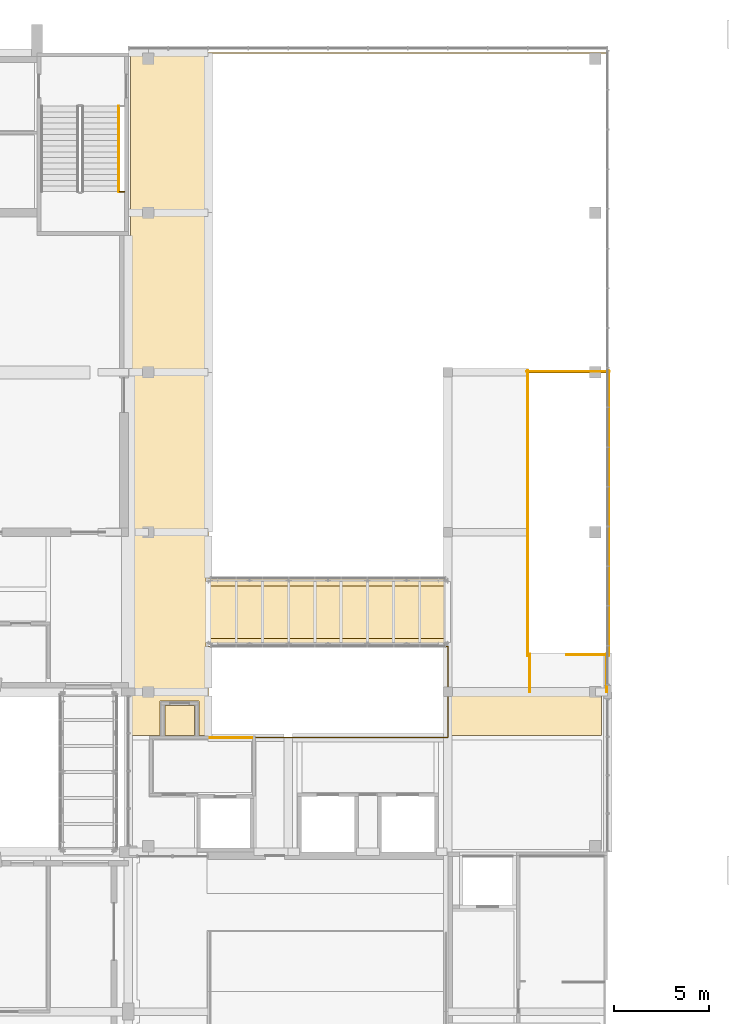
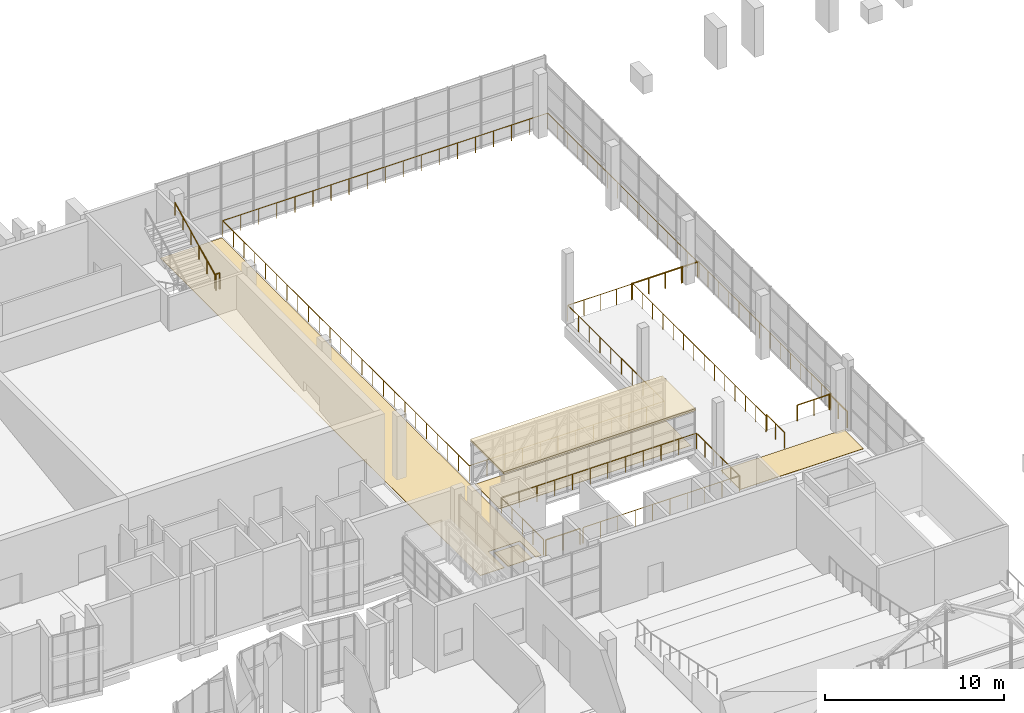
# One storey, part 64 of 67: 11 railings, 5 coverings.
"""IFC4 building model written with IfcOpenShell, lengths in metres."""

from ifc_helpers import new_model, si_unit, direction, frame, origin, origin_2d, place, context, subcontext, project, spatial, polyline, circle, outline, extrude, material, layer, layer_set, type_object, element, save


model = new_model("IFC4")

# Units and contexts
model_context = context("Model", 3, precision=1e-05, world=origin(), true_north=direction((0.0, 1.0)))
body_context = subcontext(model_context, "Body", "Model", "MODEL_VIEW")
ifc_project = project(units=[si_unit("LENGTHUNIT", "METRE"), si_unit("AREAUNIT", "SQUARE_METRE"), si_unit("VOLUMEUNIT", "CUBIC_METRE"), si_unit("PLANEANGLEUNIT", "RADIAN"), si_unit("MASSUNIT", "GRAM", prefix="KILO")], contexts=[model_context])

# Site, building, storey
site_placement = place(None, origin())
site = spatial("IfcSite", under=ifc_project, at=site_placement, CompositionType="ELEMENT")
building_placement = place(site_placement, origin())
building = spatial("IfcBuilding", under=site, at=building_placement, Name="Kiln Court Media Centre", CompositionType="ELEMENT")
storey_placement = place(building_placement, frame((0.0, 0.0, 19.800048828125)))
storey = spatial("IfcBuildingStorey", under=building, at=storey_placement, Name="L04", CompositionType="ELEMENT", Elevation=19.800048828125)

# Coverings
ifc_material_1 = material(Name="Steel ASTM A572 Gr 50 with insulated core", Category="steel")
ifc_layer_1 = layer(ifc_material_1, 0.14990234375)
ifc_layer_set_1 = layer_set([ifc_layer_1], Name="Insulated steel sandwich bridge roof 150")
covering_type_1 = type_object("IfcCoveringType", Name="Insulated steel sandwich bridge roof 150", PredefinedType="ROOFING", material=ifc_layer_set_1)
covering_1_placement = place(storey_placement, frame((0.0, 0.0, 2.675048828125)))
element("IfcCovering", 1, at=covering_1_placement, inside=storey, type_object=covering_type_1, Name="BR-L04-FOY-11 roof", PredefinedType="ROOFING", context=body_context, shape_type="SweptSolid", body=[
    extrude(outline(polyline([(37.89990234375, 35.945068359375), (50.300048828125, 35.945068359375), (50.300048828125, 39.655029296875), (37.89990234375, 39.655029296875), (37.89990234375, 35.945068359375)])), origin(), (0.0, 0.0, 1.0), 0.14990234375),
])
ifc_material_2 = material(Name="Terrazzo")
ifc_layer_2 = layer(ifc_material_2, 0.02490234375)
ifc_layer_set_2 = layer_set([ifc_layer_2], Name="Polished terrazzo floor finish 25")
covering_type_2 = type_object("IfcCoveringType", Name="Polished terrazzo floor finish 25", PredefinedType="FLOORING", material=ifc_layer_set_2)
covering_2_placement = place(storey_placement, origin())
element("IfcCovering", 2, at=covering_2_placement, inside=storey, type_object=covering_type_2, Name="West Gallery floor finish", PredefinedType="FLOORING", context=body_context, shape_type="SweptSolid", body=[
    extrude(outline(polyline([(33.719970703125, 31.320068359375), (35.280029296875, 31.320068359375), (35.280029296875, 33.1201171875), (37.320068359375, 33.1201171875), (37.320068359375, 31.320068359375), (37.679931640625, 31.320068359375), (37.679931640625, 67.080078125), (33.719970703125, 67.080078125), (33.719970703125, 31.320068359375)])), origin(), (0.0, 0.0, 1.0), 0.02490234375),
])
covering_3_placement = place(storey_placement, origin())
element("IfcCovering", 3, at=covering_3_placement, inside=storey, type_object=covering_type_2, Name="Wheelchair Refuge floor finish", PredefinedType="FLOORING", context=body_context, shape_type="SweptSolid", body=[
    extrude(outline(polyline([(35.52001953125, 31.320068359375), (37.080078125, 31.320068359375), (37.080078125, 32.8798828125), (35.52001953125, 32.8798828125), (35.52001953125, 31.320068359375)])), origin(), (0.0, 0.0, 1.0), 0.02490234375),
])
covering_4_placement = place(storey_placement, origin())
element("IfcCovering", 4, at=covering_4_placement, inside=storey, type_object=covering_type_2, Name="Stair Landing Gallery floor finish", PredefinedType="FLOORING", context=body_context, shape_type="SweptSolid", body=[
    extrude(outline(polyline([(50.52001953125, 31.320068359375), (58.47998046875, 31.320068359375), (58.47998046875, 33.47998046875), (50.52001953125, 33.47998046875), (50.52001953125, 31.320068359375)])), origin(), (0.0, 0.0, 1.0), 0.02490234375),
])
covering_5_placement = place(storey_placement, origin())
element("IfcCovering", 5, at=covering_5_placement, inside=storey, type_object=covering_type_2, Name="Foyer Bridge floor finish", PredefinedType="FLOORING", context=body_context, shape_type="SweptSolid", body=[
    extrude(outline(polyline([(50.280029296875, 36.419921875), (50.280029296875, 39.179931640625), (37.919921875, 39.179931640625), (37.919921875, 36.419921875), (50.280029296875, 36.419921875)])), origin(), (0.0, 0.0, 1.0), 0.02490234375),
])

# Railings
ifc_material_3 = material(Name="Steel S275", Category="steel")
railing_type_1 = type_object("IfcRailingType", Name="Steel S275 balustrade guard 1100", PredefinedType="GUARDRAIL", material=ifc_material_3)
railing_1_placement = place(storey_placement, frame((58.800048828125, 67.199951171875, 0.0)))
element("IfcRailing", 6, at=railing_1_placement, inside=storey, type_object=railing_type_1, Name="L04 void edge guard", PredefinedType="GUARDRAIL", context=body_context, shape_type="SweptSolid", body=[
    extrude(circle(Radius=0.02392578125, at=origin_2d()), frame((0.0, 0.0, 1.076171875), z_axis=(-1.0, 0.0, 0.0), x_axis=(0.0, -1.0, 0.0)), (0.0, 0.0, 1.0), 21.0),
    extrude(circle(Radius=0.02392578125, at=origin_2d()), frame((-21.0, 0.0, 1.076171875), z_axis=(0.0, -1.0, 0.0), x_axis=(1.0, 0.0, 0.0)), (0.0, 0.0, 1.0), 27.599853515625),
    extrude(circle(Radius=0.02392578125, at=origin_2d()), frame((-21.0, -27.599853515625, 1.076171875), z_axis=(1.0, 0.0, 0.0), x_axis=(0.0, 1.0, 0.0)), (0.0, 0.0, 1.0), 12.599853515625),
    extrude(circle(Radius=0.02392578125, at=origin_2d()), frame((-8.400146484375, -27.599853515625, 1.076171875), z_axis=(0.0, 1.0, 0.0), x_axis=(-1.0, 0.0, 0.0)), (0.0, 0.0, 1.0), 10.7998046875),
    extrude(circle(Radius=0.02392578125, at=origin_2d()), frame((-8.400146484375, -16.800048828125, 1.076171875), z_axis=(1.0, 0.0, 0.0), x_axis=(0.0, 1.0, 0.0)), (0.0, 0.0, 1.0), 8.400146484375),
    extrude(circle(Radius=0.02392578125, at=origin_2d()), frame((0.0, -16.800048828125, 1.076171875), z_axis=(0.0, 1.0, 0.0), x_axis=(-1.0, 0.0, 0.0)), (0.0, 0.0, 1.0), 16.800048828125),
    extrude(circle(Radius=0.02099609375, at=origin_2d()), origin(), (0.0, 0.0, 1.0), 1.052001953125),
    extrude(circle(Radius=0.02099609375, at=origin_2d()), frame((-1.166748046875, 0.0, 0.0)), (0.0, 0.0, 1.0), 1.052001953125),
    extrude(circle(Radius=0.02099609375, at=origin_2d()), frame((-2.333251953125, 0.0, 0.0)), (0.0, 0.0, 1.0), 1.052001953125),
    extrude(circle(Radius=0.02099609375, at=origin_2d()), frame((-3.5, 0.0, 0.0)), (0.0, 0.0, 1.0), 1.052001953125),
    extrude(circle(Radius=0.02099609375, at=origin_2d()), frame((-4.666748046875, 0.0, 0.0)), (0.0, 0.0, 1.0), 1.052001953125),
    extrude(circle(Radius=0.02099609375, at=origin_2d()), frame((-5.833251953125, 0.0, 0.0)), (0.0, 0.0, 1.0), 1.052001953125),
    extrude(circle(Radius=0.02099609375, at=origin_2d()), frame((-7.0, 0.0, 0.0)), (0.0, 0.0, 1.0), 1.052001953125),
    extrude(circle(Radius=0.02099609375, at=origin_2d()), frame((-8.166748046875, 0.0, 0.0)), (0.0, 0.0, 1.0), 1.052001953125),
    extrude(circle(Radius=0.02099609375, at=origin_2d()), frame((-9.333251953125, 0.0, 0.0)), (0.0, 0.0, 1.0), 1.052001953125),
    extrude(circle(Radius=0.02099609375, at=origin_2d()), frame((-10.5, 0.0, 0.0)), (0.0, 0.0, 1.0), 1.052001953125),
    extrude(circle(Radius=0.02099609375, at=origin_2d()), frame((-11.666748046875, 0.0, 0.0)), (0.0, 0.0, 1.0), 1.052001953125),
    extrude(circle(Radius=0.02099609375, at=origin_2d()), frame((-12.833251953125, 0.0, 0.0)), (0.0, 0.0, 1.0), 1.052001953125),
    extrude(circle(Radius=0.02099609375, at=origin_2d()), frame((-14.0, 0.0, 0.0)), (0.0, 0.0, 1.0), 1.052001953125),
    extrude(circle(Radius=0.02099609375, at=origin_2d()), frame((-15.166748046875, 0.0, 0.0)), (0.0, 0.0, 1.0), 1.052001953125),
    extrude(circle(Radius=0.02099609375, at=origin_2d()), frame((-16.333251953125, 0.0, 0.0)), (0.0, 0.0, 1.0), 1.052001953125),
    extrude(circle(Radius=0.02099609375, at=origin_2d()), frame((-17.5, 0.0, 0.0)), (0.0, 0.0, 1.0), 1.052001953125),
    extrude(circle(Radius=0.02099609375, at=origin_2d()), frame((-18.666748046875, 0.0, 0.0)), (0.0, 0.0, 1.0), 1.052001953125),
    extrude(circle(Radius=0.02099609375, at=origin_2d()), frame((-19.833251953125, 0.0, 0.0)), (0.0, 0.0, 1.0), 1.052001953125),
    extrude(circle(Radius=0.02099609375, at=origin_2d()), frame((-21.0, 0.0, 0.0)), (0.0, 0.0, 1.0), 1.052001953125),
    extrude(circle(Radius=0.02099609375, at=origin_2d()), frame((-21.0, -1.199951171875, 0.0)), (0.0, 0.0, 1.0), 1.052001953125),
    extrude(circle(Radius=0.02099609375, at=origin_2d()), frame((-21.0, -2.39990234375, 0.0)), (0.0, 0.0, 1.0), 1.052001953125),
    extrude(circle(Radius=0.02099609375, at=origin_2d()), frame((-21.0, -3.60009765625, 0.0)), (0.0, 0.0, 1.0), 1.052001953125),
    extrude(circle(Radius=0.02099609375, at=origin_2d()), frame((-21.0, -4.800048828125, 0.0)), (0.0, 0.0, 1.0), 1.052001953125),
    extrude(circle(Radius=0.02099609375, at=origin_2d()), frame((-21.0, -6.0, 0.0)), (0.0, 0.0, 1.0), 1.052001953125),
    extrude(circle(Radius=0.02099609375, at=origin_2d()), frame((-21.0, -7.199951171875, 0.0)), (0.0, 0.0, 1.0), 1.052001953125),
    extrude(circle(Radius=0.02099609375, at=origin_2d()), frame((-21.0, -8.39990234375, 0.0)), (0.0, 0.0, 1.0), 1.052001953125),
    extrude(circle(Radius=0.02099609375, at=origin_2d()), frame((-21.0, -9.599853515625, 0.0)), (0.0, 0.0, 1.0), 1.052001953125),
    extrude(circle(Radius=0.02099609375, at=origin_2d()), frame((-21.0, -10.800048828125, 0.0)), (0.0, 0.0, 1.0), 1.052001953125),
    extrude(circle(Radius=0.02099609375, at=origin_2d()), frame((-21.0, -12.0, 0.0)), (0.0, 0.0, 1.0), 1.052001953125),
    extrude(circle(Radius=0.02099609375, at=origin_2d()), frame((-21.0, -13.199951171875, 0.0)), (0.0, 0.0, 1.0), 1.052001953125),
    extrude(circle(Radius=0.02099609375, at=origin_2d()), frame((-21.0, -14.39990234375, 0.0)), (0.0, 0.0, 1.0), 1.052001953125),
    extrude(circle(Radius=0.02099609375, at=origin_2d()), frame((-21.0, -15.599853515625, 0.0)), (0.0, 0.0, 1.0), 1.052001953125),
    extrude(circle(Radius=0.02099609375, at=origin_2d()), frame((-21.0, -16.7998046875, 0.0)), (0.0, 0.0, 1.0), 1.052001953125),
    extrude(circle(Radius=0.02099609375, at=origin_2d()), frame((-21.0, -18.0, 0.0)), (0.0, 0.0, 1.0), 1.052001953125),
    extrude(circle(Radius=0.02099609375, at=origin_2d()), frame((-21.0, -19.199951171875, 0.0)), (0.0, 0.0, 1.0), 1.052001953125),
    extrude(circle(Radius=0.02099609375, at=origin_2d()), frame((-21.0, -20.39990234375, 0.0)), (0.0, 0.0, 1.0), 1.052001953125),
    extrude(circle(Radius=0.02099609375, at=origin_2d()), frame((-21.0, -21.599853515625, 0.0)), (0.0, 0.0, 1.0), 1.052001953125),
    extrude(circle(Radius=0.02099609375, at=origin_2d()), frame((-21.0, -22.7998046875, 0.0)), (0.0, 0.0, 1.0), 1.052001953125),
    extrude(circle(Radius=0.02099609375, at=origin_2d()), frame((-21.0, -23.999755859375, 0.0)), (0.0, 0.0, 1.0), 1.052001953125),
    extrude(circle(Radius=0.02099609375, at=origin_2d()), frame((-21.0, -25.199951171875, 0.0)), (0.0, 0.0, 1.0), 1.052001953125),
    extrude(circle(Radius=0.02099609375, at=origin_2d()), frame((-21.0, -26.39990234375, 0.0)), (0.0, 0.0, 1.0), 1.052001953125),
    extrude(circle(Radius=0.02099609375, at=origin_2d()), frame((-21.0, -27.599853515625, 0.0)), (0.0, 0.0, 1.0), 1.052001953125),
    extrude(circle(Radius=0.02099609375, at=origin_2d()), frame((-19.8544921875, -27.599853515625, 0.0)), (0.0, 0.0, 1.0), 1.052001953125),
    extrude(circle(Radius=0.02099609375, at=origin_2d()), frame((-18.709228515625, -27.599853515625, 0.0)), (0.0, 0.0, 1.0), 1.052001953125),
    extrude(circle(Radius=0.02099609375, at=origin_2d()), frame((-17.563720703125, -27.599853515625, 0.0)), (0.0, 0.0, 1.0), 1.052001953125),
    extrude(circle(Radius=0.02099609375, at=origin_2d()), frame((-16.418212890625, -27.599853515625, 0.0)), (0.0, 0.0, 1.0), 1.052001953125),
    extrude(circle(Radius=0.02099609375, at=origin_2d()), frame((-15.272705078125, -27.599853515625, 0.0)), (0.0, 0.0, 1.0), 1.052001953125),
    extrude(circle(Radius=0.02099609375, at=origin_2d()), frame((-14.12744140625, -27.599853515625, 0.0)), (0.0, 0.0, 1.0), 1.052001953125),
    extrude(circle(Radius=0.02099609375, at=origin_2d()), frame((-12.98193359375, -27.599853515625, 0.0)), (0.0, 0.0, 1.0), 1.052001953125),
    extrude(circle(Radius=0.02099609375, at=origin_2d()), frame((-11.83642578125, -27.599853515625, 0.0)), (0.0, 0.0, 1.0), 1.052001953125),
    extrude(circle(Radius=0.02099609375, at=origin_2d()), frame((-10.69091796875, -27.599853515625, 0.0)), (0.0, 0.0, 1.0), 1.052001953125),
    extrude(circle(Radius=0.02099609375, at=origin_2d()), frame((-9.545654296875, -27.599853515625, 0.0)), (0.0, 0.0, 1.0), 1.052001953125),
    extrude(circle(Radius=0.02099609375, at=origin_2d()), frame((-8.400146484375, -27.599853515625, 0.0)), (0.0, 0.0, 1.0), 1.052001953125),
    extrude(circle(Radius=0.02099609375, at=origin_2d()), frame((-8.400146484375, -26.39990234375, 0.0)), (0.0, 0.0, 1.0), 1.052001953125),
    extrude(circle(Radius=0.02099609375, at=origin_2d()), frame((-8.400146484375, -25.199951171875, 0.0)), (0.0, 0.0, 1.0), 1.052001953125),
    extrude(circle(Radius=0.02099609375, at=origin_2d()), frame((-8.400146484375, -24.0, 0.0)), (0.0, 0.0, 1.0), 1.052001953125),
    extrude(circle(Radius=0.02099609375, at=origin_2d()), frame((-8.400146484375, -22.800048828125, 0.0)), (0.0, 0.0, 1.0), 1.052001953125),
    extrude(circle(Radius=0.02099609375, at=origin_2d()), frame((-8.400146484375, -21.599853515625, 0.0)), (0.0, 0.0, 1.0), 1.052001953125),
    extrude(circle(Radius=0.02099609375, at=origin_2d()), frame((-8.400146484375, -20.39990234375, 0.0)), (0.0, 0.0, 1.0), 1.052001953125),
    extrude(circle(Radius=0.02099609375, at=origin_2d()), frame((-8.400146484375, -19.199951171875, 0.0)), (0.0, 0.0, 1.0), 1.052001953125),
    extrude(circle(Radius=0.02099609375, at=origin_2d()), frame((-8.400146484375, -18.0, 0.0)), (0.0, 0.0, 1.0), 1.052001953125),
    extrude(circle(Radius=0.02099609375, at=origin_2d()), frame((-8.400146484375, -16.800048828125, 0.0)), (0.0, 0.0, 1.0), 1.052001953125),
    extrude(circle(Radius=0.02099609375, at=origin_2d()), frame((-7.35009765625, -16.800048828125, 0.0)), (0.0, 0.0, 1.0), 1.052001953125),
    extrude(circle(Radius=0.02099609375, at=origin_2d()), frame((-6.300048828125, -16.800048828125, 0.0)), (0.0, 0.0, 1.0), 1.052001953125),
    extrude(circle(Radius=0.02099609375, at=origin_2d()), frame((-5.25, -16.800048828125, 0.0)), (0.0, 0.0, 1.0), 1.052001953125),
    extrude(circle(Radius=0.02099609375, at=origin_2d()), frame((-4.2001953125, -16.800048828125, 0.0)), (0.0, 0.0, 1.0), 1.052001953125),
    extrude(circle(Radius=0.02099609375, at=origin_2d()), frame((-3.150146484375, -16.800048828125, 0.0)), (0.0, 0.0, 1.0), 1.052001953125),
    extrude(circle(Radius=0.02099609375, at=origin_2d()), frame((-2.10009765625, -16.800048828125, 0.0)), (0.0, 0.0, 1.0), 1.052001953125),
    extrude(circle(Radius=0.02099609375, at=origin_2d()), frame((-1.050048828125, -16.800048828125, 0.0)), (0.0, 0.0, 1.0), 1.052001953125),
    extrude(circle(Radius=0.02099609375, at=origin_2d()), frame((0.0, -16.800048828125, 0.0)), (0.0, 0.0, 1.0), 1.052001953125),
    extrude(circle(Radius=0.02099609375, at=origin_2d()), frame((0.0, -15.679931640625, 0.0)), (0.0, 0.0, 1.0), 1.052001953125),
    extrude(circle(Radius=0.02099609375, at=origin_2d()), frame((0.0, -14.56005859375, 0.0)), (0.0, 0.0, 1.0), 1.052001953125),
    extrude(circle(Radius=0.02099609375, at=origin_2d()), frame((0.0, -13.43994140625, 0.0)), (0.0, 0.0, 1.0), 1.052001953125),
    extrude(circle(Radius=0.02099609375, at=origin_2d()), frame((0.0, -12.320068359375, 0.0)), (0.0, 0.0, 1.0), 1.052001953125),
    extrude(circle(Radius=0.02099609375, at=origin_2d()), frame((0.0, -11.199951171875, 0.0)), (0.0, 0.0, 1.0), 1.052001953125),
    extrude(circle(Radius=0.02099609375, at=origin_2d()), frame((0.0, -10.080078125, 0.0)), (0.0, 0.0, 1.0), 1.052001953125),
    extrude(circle(Radius=0.02099609375, at=origin_2d()), frame((0.0, -8.9599609375, 0.0)), (0.0, 0.0, 1.0), 1.052001953125),
    extrude(circle(Radius=0.02099609375, at=origin_2d()), frame((0.0, -7.840087890625, 0.0)), (0.0, 0.0, 1.0), 1.052001953125),
    extrude(circle(Radius=0.02099609375, at=origin_2d()), frame((0.0, -6.719970703125, 0.0)), (0.0, 0.0, 1.0), 1.052001953125),
    extrude(circle(Radius=0.02099609375, at=origin_2d()), frame((0.0, -5.60009765625, 0.0)), (0.0, 0.0, 1.0), 1.052001953125),
    extrude(circle(Radius=0.02099609375, at=origin_2d()), frame((0.0, -4.47998046875, 0.0)), (0.0, 0.0, 1.0), 1.052001953125),
    extrude(circle(Radius=0.02099609375, at=origin_2d()), frame((0.0, -3.360107421875, 0.0)), (0.0, 0.0, 1.0), 1.052001953125),
    extrude(circle(Radius=0.02099609375, at=origin_2d()), frame((0.0, -2.239990234375, 0.0)), (0.0, 0.0, 1.0), 1.052001953125),
    extrude(circle(Radius=0.02099609375, at=origin_2d()), frame((0.0, -1.1201171875, 0.0)), (0.0, 0.0, 1.0), 1.052001953125),
])
railing_2_placement = place(storey_placement, frame((40.294921875, 31.199951171875, 0.0)))
element("IfcRailing", 7, at=railing_2_placement, inside=storey, type_object=railing_type_1, Name="L04 void edge guard", PredefinedType="GUARDRAIL", context=body_context, shape_type="SweptSolid", body=[
    extrude(circle(Radius=0.02392578125, at=origin_2d()), frame((0.0, 0.0, 1.076171875), z_axis=(1.0, 0.0, 0.0), x_axis=(0.0, 1.0, 0.0)), (0.0, 0.0, 1.0), 10.10498046875),
    extrude(circle(Radius=0.02392578125, at=origin_2d()), frame((10.10498046875, 0.0, 1.076171875), z_axis=(0.0, 1.0, 0.0), x_axis=(-1.0, 0.0, 0.0)), (0.0, 0.0, 1.0), 4.800048828125),
    extrude(circle(Radius=0.02392578125, at=origin_2d()), frame((10.10498046875, 4.800048828125, 1.076171875), z_axis=(-1.0, 0.0, 0.0), x_axis=(0.0, -1.0, 0.0)), (0.0, 0.0, 1.0), 12.599853515625),
    extrude(circle(Radius=0.02392578125, at=origin_2d()), frame((-2.494873046875, 4.800048828125, 1.076171875), z_axis=(0.0, -1.0, 0.0), x_axis=(1.0, 0.0, 0.0)), (0.0, 0.0, 1.0), 4.705078125),
    extrude(circle(Radius=0.02099609375, at=origin_2d()), origin(), (0.0, 0.0, 1.0), 1.052001953125),
    extrude(circle(Radius=0.02099609375, at=origin_2d()), frame((1.122802734375, 0.0, 0.0)), (0.0, 0.0, 1.0), 1.052001953125),
    extrude(circle(Radius=0.02099609375, at=origin_2d()), frame((2.24560546875, 0.0, 0.0)), (0.0, 0.0, 1.0), 1.052001953125),
    extrude(circle(Radius=0.02099609375, at=origin_2d()), frame((3.368408203125, 0.0, 0.0)), (0.0, 0.0, 1.0), 1.052001953125),
    extrude(circle(Radius=0.02099609375, at=origin_2d()), frame((4.4912109375, 0.0, 0.0)), (0.0, 0.0, 1.0), 1.052001953125),
    extrude(circle(Radius=0.02099609375, at=origin_2d()), frame((5.61376953125, 0.0, 0.0)), (0.0, 0.0, 1.0), 1.052001953125),
    extrude(circle(Radius=0.02099609375, at=origin_2d()), frame((6.736572265625, 0.0, 0.0)), (0.0, 0.0, 1.0), 1.052001953125),
    extrude(circle(Radius=0.02099609375, at=origin_2d()), frame((7.859375, 0.0, 0.0)), (0.0, 0.0, 1.0), 1.052001953125),
    extrude(circle(Radius=0.02099609375, at=origin_2d()), frame((8.982177734375, 0.0, 0.0)), (0.0, 0.0, 1.0), 1.052001953125),
    extrude(circle(Radius=0.02099609375, at=origin_2d()), frame((10.10498046875, 0.0, 0.0)), (0.0, 0.0, 1.0), 1.052001953125),
    extrude(circle(Radius=0.02099609375, at=origin_2d()), frame((10.10498046875, 0.9599609375, 0.0)), (0.0, 0.0, 1.0), 1.052001953125),
    extrude(circle(Radius=0.02099609375, at=origin_2d()), frame((10.10498046875, 1.919921875, 0.0)), (0.0, 0.0, 1.0), 1.052001953125),
    extrude(circle(Radius=0.02099609375, at=origin_2d()), frame((10.10498046875, 2.880126953125, 0.0)), (0.0, 0.0, 1.0), 1.052001953125),
    extrude(circle(Radius=0.02099609375, at=origin_2d()), frame((10.10498046875, 3.840087890625, 0.0)), (0.0, 0.0, 1.0), 1.052001953125),
    extrude(circle(Radius=0.02099609375, at=origin_2d()), frame((10.10498046875, 4.800048828125, 0.0)), (0.0, 0.0, 1.0), 1.052001953125),
    extrude(circle(Radius=0.02099609375, at=origin_2d()), frame((8.95947265625, 4.800048828125, 0.0)), (0.0, 0.0, 1.0), 1.052001953125),
    extrude(circle(Radius=0.02099609375, at=origin_2d()), frame((7.814208984375, 4.800048828125, 0.0)), (0.0, 0.0, 1.0), 1.052001953125),
    extrude(circle(Radius=0.02099609375, at=origin_2d()), frame((6.668701171875, 4.800048828125, 0.0)), (0.0, 0.0, 1.0), 1.052001953125),
    extrude(circle(Radius=0.02099609375, at=origin_2d()), frame((5.523193359375, 4.800048828125, 0.0)), (0.0, 0.0, 1.0), 1.052001953125),
    extrude(circle(Radius=0.02099609375, at=origin_2d()), frame((4.377685546875, 4.800048828125, 0.0)), (0.0, 0.0, 1.0), 1.052001953125),
    extrude(circle(Radius=0.02099609375, at=origin_2d()), frame((3.232421875, 4.800048828125, 0.0)), (0.0, 0.0, 1.0), 1.052001953125),
    extrude(circle(Radius=0.02099609375, at=origin_2d()), frame((2.0869140625, 4.800048828125, 0.0)), (0.0, 0.0, 1.0), 1.052001953125),
    extrude(circle(Radius=0.02099609375, at=origin_2d()), frame((0.94140625, 4.800048828125, 0.0)), (0.0, 0.0, 1.0), 1.052001953125),
    extrude(circle(Radius=0.02099609375, at=origin_2d()), frame((-0.2041015625, 4.800048828125, 0.0)), (0.0, 0.0, 1.0), 1.052001953125),
    extrude(circle(Radius=0.02099609375, at=origin_2d()), frame((-1.349365234375, 4.800048828125, 0.0)), (0.0, 0.0, 1.0), 1.052001953125),
    extrude(circle(Radius=0.02099609375, at=origin_2d()), frame((-2.494873046875, 4.800048828125, 0.0)), (0.0, 0.0, 1.0), 1.052001953125),
    extrude(circle(Radius=0.02099609375, at=origin_2d()), frame((-2.494873046875, 3.623779296875, 0.0)), (0.0, 0.0, 1.0), 1.052001953125),
    extrude(circle(Radius=0.02099609375, at=origin_2d()), frame((-2.494873046875, 2.447509765625, 0.0)), (0.0, 0.0, 1.0), 1.052001953125),
    extrude(circle(Radius=0.02099609375, at=origin_2d()), frame((-2.494873046875, 1.271240234375, 0.0)), (0.0, 0.0, 1.0), 1.052001953125),
    extrude(circle(Radius=0.02099609375, at=origin_2d()), frame((-2.494873046875, 0.094970703125, 0.0)), (0.0, 0.0, 1.0), 1.052001953125),
])
railing_3_placement = place(storey_placement, frame((37.89501953125, 31.199951171875, 0.0)))
element("IfcRailing", 8, at=railing_3_placement, inside=storey, type_object=railing_type_1, Name="L04 void edge guard", PredefinedType="GUARDRAIL", context=body_context, shape_type="SweptSolid", body=[
    extrude(circle(Radius=0.02392578125, at=origin_2d()), frame((0.0, 0.0, 1.076171875), z_axis=(1.0, 0.0, 0.0), x_axis=(0.0, 1.0, 0.0)), (0.0, 0.0, 1.0), 2.2099609375),
    extrude(circle(Radius=0.02099609375, at=origin_2d()), origin(), (0.0, 0.0, 1.0), 1.052001953125),
    extrude(circle(Radius=0.02099609375, at=origin_2d()), frame((1.10498046875, 0.0, 0.0)), (0.0, 0.0, 1.0), 1.052001953125),
    extrude(circle(Radius=0.02099609375, at=origin_2d()), frame((2.2099609375, 0.0, 0.0)), (0.0, 0.0, 1.0), 1.052001953125),
])
ifc_material_4 = material(Name="Steel S275", Category="steel")
railing_type_2 = type_object("IfcRailingType", Name="Steel S275 stair guard 1100", PredefinedType="GUARDRAIL", material=ifc_material_4)
railing_4_placement = place(storey_placement, frame((33.14990234375, 59.89990234375, 2.39990234375)))
element("IfcRailing", 9, at=railing_4_placement, inside=storey, type_object=railing_type_2, Name="ST-08 landing edge guard", PredefinedType="GUARDRAIL", context=body_context, shape_type="SweptSolid", body=[
    extrude(circle(Radius=0.02392578125, at=origin_2d()), frame((0.0, 0.0, 1.076171875), z_axis=(1.0, 0.0, 0.0), x_axis=(0.0, 1.0, 0.0)), (0.0, 0.0, 1.0), 0.25),
    extrude(circle(Radius=0.02099609375, at=origin_2d()), origin(), (0.0, 0.0, 1.0), 1.052001953125),
    extrude(circle(Radius=0.02099609375, at=origin_2d()), frame((0.25, 0.0, 0.0)), (0.0, 0.0, 1.0), 1.052001953125),
])
railing_5_placement = place(storey_placement, frame((58.800048828125, 35.550048828125, 0.0)))
element("IfcRailing", 10, at=railing_5_placement, inside=storey, type_object=railing_type_2, Name="ST-F1 top floor guard", PredefinedType="GUARDRAIL", context=body_context, shape_type="SweptSolid", body=[
    extrude(circle(Radius=0.02392578125, at=origin_2d()), frame((0.0, 0.0, 1.076171875), z_axis=(-1.0, 0.0, 0.0), x_axis=(0.0, -1.0, 0.0)), (0.0, 0.0, 1.0), 2.150146484375),
    extrude(circle(Radius=0.02099609375, at=origin_2d()), origin(), (0.0, 0.0, 1.0), 1.052001953125),
    extrude(circle(Radius=0.02099609375, at=origin_2d()), frame((-1.0751953125, 0.0, 0.0)), (0.0, 0.0, 1.0), 1.052001953125),
    extrude(circle(Radius=0.02099609375, at=origin_2d()), frame((-2.150146484375, 0.0, 0.0)), (0.0, 0.0, 1.0), 1.052001953125),
])
railing_6_placement = place(storey_placement, frame((58.85009765625, 35.5, 0.0)))
element("IfcRailing", 11, at=railing_6_placement, inside=storey, type_object=railing_type_2, Name="ST-F1 top floor guard", PredefinedType="GUARDRAIL", context=body_context, shape_type="SweptSolid", body=[
    extrude(circle(Radius=0.02392578125, at=origin_2d()), frame((0.0, 0.0, 1.076171875), z_axis=(0.0, 1.0, 0.0), x_axis=(-1.0, 0.0, 0.0)), (0.0, 0.0, 1.0), 15.0),
    extrude(circle(Radius=0.02099609375, at=origin_2d()), origin(), (0.0, 0.0, 1.0), 1.052001953125),
    extrude(circle(Radius=0.02099609375, at=origin_2d()), frame((0.0, 1.15380859375, 0.0)), (0.0, 0.0, 1.0), 1.052001953125),
    extrude(circle(Radius=0.02099609375, at=origin_2d()), frame((0.0, 2.3076171875, 0.0)), (0.0, 0.0, 1.0), 1.052001953125),
    extrude(circle(Radius=0.02099609375, at=origin_2d()), frame((0.0, 3.46142578125, 0.0)), (0.0, 0.0, 1.0), 1.052001953125),
    extrude(circle(Radius=0.02099609375, at=origin_2d()), frame((0.0, 4.615478515625, 0.0)), (0.0, 0.0, 1.0), 1.052001953125),
    extrude(circle(Radius=0.02099609375, at=origin_2d()), frame((0.0, 5.769287109375, 0.0)), (0.0, 0.0, 1.0), 1.052001953125),
    extrude(circle(Radius=0.02099609375, at=origin_2d()), frame((0.0, 6.923095703125, 0.0)), (0.0, 0.0, 1.0), 1.052001953125),
    extrude(circle(Radius=0.02099609375, at=origin_2d()), frame((0.0, 8.076904296875, 0.0)), (0.0, 0.0, 1.0), 1.052001953125),
    extrude(circle(Radius=0.02099609375, at=origin_2d()), frame((0.0, 9.230712890625, 0.0)), (0.0, 0.0, 1.0), 1.052001953125),
    extrude(circle(Radius=0.02099609375, at=origin_2d()), frame((0.0, 10.384521484375, 0.0)), (0.0, 0.0, 1.0), 1.052001953125),
    extrude(circle(Radius=0.02099609375, at=origin_2d()), frame((0.0, 11.53857421875, 0.0)), (0.0, 0.0, 1.0), 1.052001953125),
    extrude(circle(Radius=0.02099609375, at=origin_2d()), frame((0.0, 12.6923828125, 0.0)), (0.0, 0.0, 1.0), 1.052001953125),
    extrude(circle(Radius=0.02099609375, at=origin_2d()), frame((0.0, 13.84619140625, 0.0)), (0.0, 0.0, 1.0), 1.052001953125),
    extrude(circle(Radius=0.02099609375, at=origin_2d()), frame((0.0, 15.0, 0.0)), (0.0, 0.0, 1.0), 1.052001953125),
])
railing_7_placement = place(storey_placement, frame((54.60009765625, 35.5, 0.0)))
element("IfcRailing", 12, at=railing_7_placement, inside=storey, type_object=railing_type_2, Name="ST-F1 top floor guard", PredefinedType="GUARDRAIL", context=body_context, shape_type="SweptSolid", body=[
    extrude(circle(Radius=0.02392578125, at=origin_2d()), frame((0.0, 0.0, 1.076171875), z_axis=(0.0, 1.0, 0.0), x_axis=(-1.0, 0.0, 0.0)), (0.0, 0.0, 1.0), 15.0),
    extrude(circle(Radius=0.02099609375, at=origin_2d()), origin(), (0.0, 0.0, 1.0), 1.052001953125),
    extrude(circle(Radius=0.02099609375, at=origin_2d()), frame((0.0, 1.15380859375, 0.0)), (0.0, 0.0, 1.0), 1.052001953125),
    extrude(circle(Radius=0.02099609375, at=origin_2d()), frame((0.0, 2.3076171875, 0.0)), (0.0, 0.0, 1.0), 1.052001953125),
    extrude(circle(Radius=0.02099609375, at=origin_2d()), frame((0.0, 3.46142578125, 0.0)), (0.0, 0.0, 1.0), 1.052001953125),
    extrude(circle(Radius=0.02099609375, at=origin_2d()), frame((0.0, 4.615478515625, 0.0)), (0.0, 0.0, 1.0), 1.052001953125),
    extrude(circle(Radius=0.02099609375, at=origin_2d()), frame((0.0, 5.769287109375, 0.0)), (0.0, 0.0, 1.0), 1.052001953125),
    extrude(circle(Radius=0.02099609375, at=origin_2d()), frame((0.0, 6.923095703125, 0.0)), (0.0, 0.0, 1.0), 1.052001953125),
    extrude(circle(Radius=0.02099609375, at=origin_2d()), frame((0.0, 8.076904296875, 0.0)), (0.0, 0.0, 1.0), 1.052001953125),
    extrude(circle(Radius=0.02099609375, at=origin_2d()), frame((0.0, 9.230712890625, 0.0)), (0.0, 0.0, 1.0), 1.052001953125),
    extrude(circle(Radius=0.02099609375, at=origin_2d()), frame((0.0, 10.384521484375, 0.0)), (0.0, 0.0, 1.0), 1.052001953125),
    extrude(circle(Radius=0.02099609375, at=origin_2d()), frame((0.0, 11.53857421875, 0.0)), (0.0, 0.0, 1.0), 1.052001953125),
    extrude(circle(Radius=0.02099609375, at=origin_2d()), frame((0.0, 12.6923828125, 0.0)), (0.0, 0.0, 1.0), 1.052001953125),
    extrude(circle(Radius=0.02099609375, at=origin_2d()), frame((0.0, 13.84619140625, 0.0)), (0.0, 0.0, 1.0), 1.052001953125),
    extrude(circle(Radius=0.02099609375, at=origin_2d()), frame((0.0, 15.0, 0.0)), (0.0, 0.0, 1.0), 1.052001953125),
])
railing_8_placement = place(storey_placement, frame((58.89990234375, 50.449951171875, 0.0)))
element("IfcRailing", 13, at=railing_8_placement, inside=storey, type_object=railing_type_2, Name="ST-F1 top floor guard", PredefinedType="GUARDRAIL", context=body_context, shape_type="SweptSolid", body=[
    extrude(circle(Radius=0.02392578125, at=origin_2d()), frame((0.0, 0.0, 1.076171875), z_axis=(-1.0, 0.0, 0.0), x_axis=(0.0, -1.0, 0.0)), (0.0, 0.0, 1.0), 4.349853515625),
    extrude(circle(Radius=0.02099609375, at=origin_2d()), origin(), (0.0, 0.0, 1.0), 1.052001953125),
    extrude(circle(Radius=0.02099609375, at=origin_2d()), frame((-1.08740234375, 0.0, 0.0)), (0.0, 0.0, 1.0), 1.052001953125),
    extrude(circle(Radius=0.02099609375, at=origin_2d()), frame((-2.1748046875, 0.0, 0.0)), (0.0, 0.0, 1.0), 1.052001953125),
    extrude(circle(Radius=0.02099609375, at=origin_2d()), frame((-3.262451171875, 0.0, 0.0)), (0.0, 0.0, 1.0), 1.052001953125),
    extrude(circle(Radius=0.02099609375, at=origin_2d()), frame((-4.349853515625, 0.0, 0.0)), (0.0, 0.0, 1.0), 1.052001953125),
])
for number, where, name in (
    (14, (58.75, 33.60009765625, 0.0), "ST-F1 top floor guard"),
    (15, (54.699951171875, 33.60009765625, 0.0), "ST-F1 top floor guard"),
):
    element("IfcRailing", number, at=place(storey_placement, frame(where)), inside=storey, type_object=railing_type_2, Name=name, PredefinedType="GUARDRAIL", context=body_context, shape_type="SweptSolid", body=[
        extrude(circle(Radius=0.02392578125, at=origin_2d()), frame((0.0, 0.0, 1.076171875), z_axis=(0.0, 1.0, 0.0), x_axis=(-1.0, 0.0, 0.0)), (0.0, 0.0, 1.0), 2.0),
        extrude(circle(Radius=0.02099609375, at=origin_2d()), origin(), (0.0, 0.0, 1.0), 1.052001953125),
        extrude(circle(Radius=0.02099609375, at=origin_2d()), frame((0.0, 1.0, 0.0)), (0.0, 0.0, 1.0), 1.052001953125),
        extrude(circle(Radius=0.02099609375, at=origin_2d()), frame((0.0, 2.0, 0.0)), (0.0, 0.0, 1.0), 1.052001953125),
    ])
ifc_material_5 = material(Name="Steel S275", Category="steel")
railing_type_3 = type_object("IfcRailingType", Name="Steel S275 stair handrail 900", PredefinedType="HANDRAIL", material=ifc_material_5)
railing_9_placement = place(storey_placement, frame((33.10009765625, 59.89990234375, 2.550048828125)))
element("IfcRailing", 16, at=railing_9_placement, inside=storey, type_object=railing_type_3, Name="ST-08 stair handrail", PredefinedType="HANDRAIL", context=body_context, shape_type="SweptSolid", body=[
    extrude(circle(Radius=0.02392578125, at=origin_2d()), frame((0.0, 0.0, 0.8759765625), z_axis=(0.0, 0.894427191, 0.4472135955), x_axis=(-1.0, 0.0, 0.0)), (0.0, 0.0, 1.0), 5.03125),
    extrude(circle(Radius=0.02099609375, at=origin_2d()), origin(), (0.0, 0.0, 1.0), 0.851806640625),
    extrude(circle(Radius=0.02099609375, at=origin_2d()), frame((0.0, 0.89990234375, 0.449951171875)), (0.0, 0.0, 1.0), 0.851806640625),
    extrude(circle(Radius=0.02099609375, at=origin_2d()), frame((0.0, 1.800048828125, 0.89990234375)), (0.0, 0.0, 1.0), 0.851806640625),
    extrude(circle(Radius=0.02099609375, at=origin_2d()), frame((0.0, 2.699951171875, 1.35009765625)), (0.0, 0.0, 1.0), 0.851806640625),
    extrude(circle(Radius=0.02099609375, at=origin_2d()), frame((0.0, 3.60009765625, 1.800048828125)), (0.0, 0.0, 1.0), 0.851806640625),
    extrude(circle(Radius=0.02099609375, at=origin_2d()), frame((0.0, 4.5, 2.25)), (0.0, 0.0, 1.0), 0.851806640625),
])

save(model, "model.ifc")
